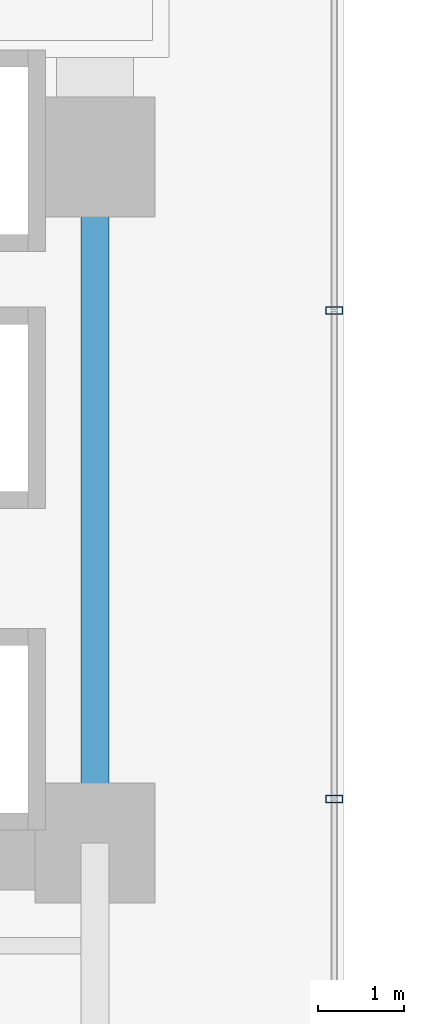
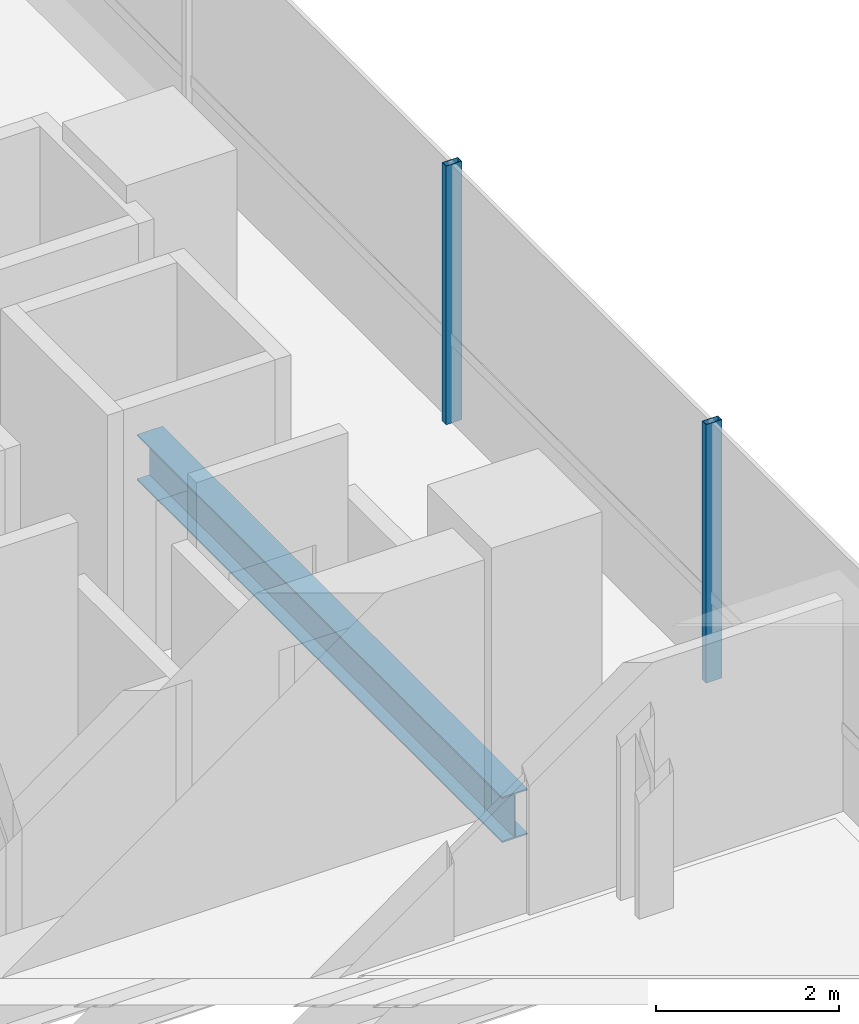
# One storey, part 6 of 40: 2 members, 1 beam, 1 element without a shape of its own.
"""IFC4 building model written with IfcOpenShell, lengths in metres."""

from ifc_helpers import new_model, si_unit, direction, frame, origin, origin_2d, place, context, subcontext, project, spatial, hollow_rectangle, i_section, extrude, source, transform, mapped, material, material_profile, profile_set, type_object, element, aggregate, save


model = new_model("IFC4")

# Units and contexts
model_context = context("Model", 3, precision=1e-05, world=origin(), true_north=direction((0.0, 1.0)))
body_context = subcontext(model_context, "Body", "Model", "MODEL_VIEW")
ifc_project = project(units=[si_unit("LENGTHUNIT", "METRE"), si_unit("AREAUNIT", "SQUARE_METRE"), si_unit("VOLUMEUNIT", "CUBIC_METRE"), si_unit("PLANEANGLEUNIT", "RADIAN"), si_unit("MASSUNIT", "GRAM", prefix="KILO")], contexts=[model_context])

# Site, building, storey
site_placement = place(None, origin())
site = spatial("IfcSite", under=ifc_project, at=site_placement, CompositionType="ELEMENT")
building_placement = place(site_placement, origin())
building = spatial("IfcBuilding", under=site, at=building_placement, Name="Valdorenza Pilgrim Sanctuary Tower", CompositionType="ELEMENT")
storey_placement = place(building_placement, frame((0.0, 0.0, 44.5)))
storey = spatial("IfcBuildingStorey", under=building, at=storey_placement, Name="L10", CompositionType="ELEMENT", Elevation=44.5)

# Beam
ifc_material_1 = material(Name="Steel ASTM A992 Grade 50", Category="steel")
ifc_material_profile_1 = material_profile(ifc_material_1, i_section(OverallWidth=0.323974609375, OverallDepth=0.611083984375, WebThickness=0.0126953125, FlangeThickness=0.01904296875, at=origin_2d()), Name="W24X104")
ifc_profile_set_1 = profile_set([ifc_material_profile_1], Name="Steel ASTM A992 Grade 50")
beam_type = type_object("IfcBeamType", Name="STR-BM-GRD-W24B", PredefinedType="BEAM", material=ifc_profile_set_1)
shared_shape_1 = source(origin(), body_context, "Body", "SweptSolid", [
    extrude(i_section(OverallWidth=0.323974609375, OverallDepth=0.611083984375, WebThickness=0.0126953125, FlangeThickness=0.01904296875, at=origin_2d()), origin(), (0.0, 0.0, 1.0), 8.0),
])
beam_placement = place(storey_placement, frame((-12.39990234375, -10.60009765625, -0.54541015625), z_axis=(0.0, 1.0, 0.0), x_axis=(-1.0, 0.0, 0.0)))
element("IfcBeam", 1, at=beam_placement, inside=storey, type_object=beam_type, Name="L10 Core Tie Girder CA-E-S1M0", PredefinedType="BEAM", context=body_context, shape_type="MappedRepresentation", body=[
    mapped(shared_shape_1, transform((0.0, 0.0, 0.0), x_axis=(1.0, 0.0, 0.0), y_axis=(0.0, 1.0, 0.0), z_axis=(0.0, 0.0, 1.0), scale=1.0)),
])

# Curtain wall, members
ifc_material_2 = material(Name="Curtain-wall IGU glazing", Category="glass")
curtain_wall_type = type_object("IfcCurtainWallType", Name="CW-SYS-02", PredefinedType="NOTDEFINED", material=ifc_material_2)
curtain_wall_placement = place(storey_placement, origin())
curtain_wall = element("IfcCurtainWall", 2, at=curtain_wall_placement, inside=storey, type_object=curtain_wall_type, Name="L10 Curtain Wall CW-L10-1-41", PredefinedType="NOTDEFINED")
ifc_material_3 = material(Name="Anodised aluminium AW-6060", Category="aluminium")
ifc_material_profile_2 = material_profile(ifc_material_3, hollow_rectangle(XDim=0.0849609375, YDim=0.199951171875, WallThickness=0.0048828125, at=origin_2d()), Name="ALU-M 200x85x5")
ifc_profile_set_2 = profile_set([ifc_material_profile_2], Name="Anodised aluminium AW-6060")
member_type = type_object("IfcMemberType", Name="CW-MUL-02", PredefinedType="MULLION", material=ifc_profile_set_2)
shared_shape_2 = source(origin(), body_context, "Body", "SweptSolid", [
    extrude(hollow_rectangle(XDim=0.0849609375, YDim=0.199951171875, WallThickness=0.0048828125, at=origin_2d()), origin(), (0.0, 0.0, 1.0), 3.4599609375),
])
member_1_placement = place(storey_placement, frame((-9.610107421875, -4.38916015625, 0.0), z_axis=(0.0, 0.0, 1.0), x_axis=(0.0, -1.0, 0.0)))
member_1 = element("IfcMember", 3, at=member_1_placement, type_object=member_type, Name="CW-L10-1-41 Mullion 3", PredefinedType="MULLION", context=body_context, shape_type="MappedRepresentation", body=[
    mapped(shared_shape_2, transform((0.0, 0.0, 0.0), x_axis=(1.0, 0.0, 0.0), y_axis=(0.0, 1.0, 0.0), z_axis=(0.0, 0.0, 1.0), scale=1.0)),
])
member_2_placement = place(storey_placement, frame((-9.610107421875, -10.089111328125, 0.0), z_axis=(0.0, 0.0, 1.0), x_axis=(0.0, -1.0, 0.0)))
member_2 = element("IfcMember", 4, at=member_2_placement, type_object=member_type, Name="CW-L10-1-41 Mullion 4", PredefinedType="MULLION", context=body_context, shape_type="MappedRepresentation", body=[
    mapped(shared_shape_2, transform((0.0, 0.0, 0.0), x_axis=(1.0, 0.0, 0.0), y_axis=(0.0, 1.0, 0.0), z_axis=(0.0, 0.0, 1.0), scale=1.0)),
])
aggregate(curtain_wall, [member_1, member_2])

save(model, "model.ifc")
